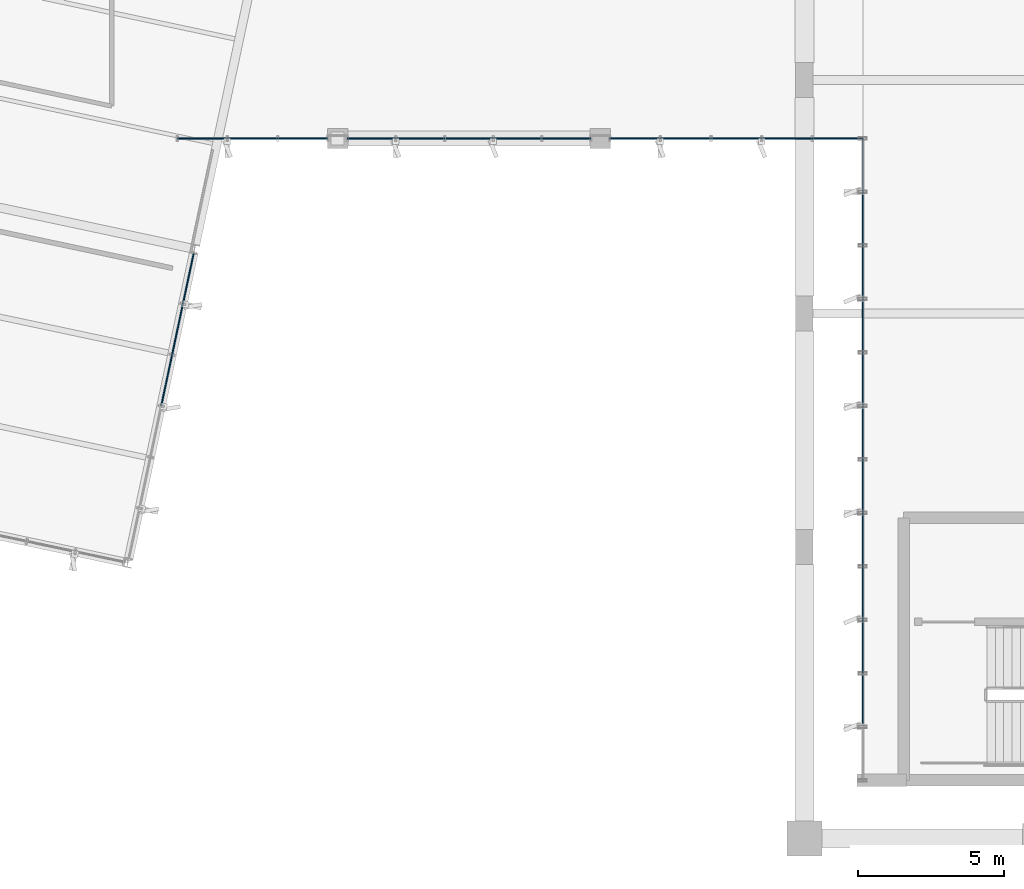
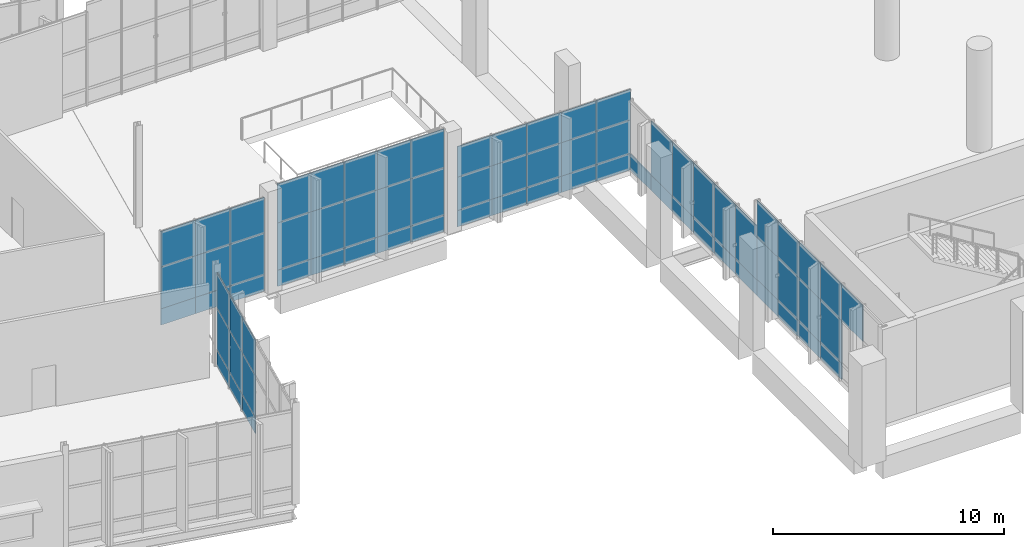
# One storey, part 120 of 176: 72 plates, 6 elements without a shape of their own.
"""IFC4 building model written with IfcOpenShell, lengths in metres."""

from ifc_helpers import new_model, si_unit, direction, frame, origin, origin_2d, place, context, subcontext, project, spatial, rectangle, extrude, material, layer, layer_set, type_object, element, aggregate, save


model = new_model("IFC4")

# Units and contexts
model_context = context("Model", 3, precision=1e-05, world=origin(), true_north=direction((0.0, 1.0)))
body_context = subcontext(model_context, "Body", "Model", "MODEL_VIEW")
ifc_project = project(units=[si_unit("LENGTHUNIT", "METRE"), si_unit("AREAUNIT", "SQUARE_METRE"), si_unit("VOLUMEUNIT", "CUBIC_METRE"), si_unit("PLANEANGLEUNIT", "RADIAN"), si_unit("MASSUNIT", "GRAM", prefix="KILO")], contexts=[model_context])

# Site, building, storey
site_placement = place(None, origin())
site = spatial("IfcSite", under=ifc_project, at=site_placement, CompositionType="ELEMENT")
building_placement = place(site_placement, origin())
building = spatial("IfcBuilding", under=site, at=building_placement, Name="Khorjan Park Terminus", CompositionType="ELEMENT")
storey_placement = place(building_placement, frame((0.0, 0.0, 6.0)))
storey = spatial("IfcBuildingStorey", under=building, at=storey_placement, Name="L01", CompositionType="ELEMENT", Elevation=6.0)

# Curtain wall, plates
ifc_material_1 = material(Name="Anodized Bronze Aluminium", Category="aluminium")
ifc_layer_1 = layer(ifc_material_1, 0.22)
ifc_layer_set_1 = layer_set([ifc_layer_1], Name="Anodized Bronze Aluminium")
curtain_wall_type_1 = type_object("IfcCurtainWallType", Name="CW-PAV-C", PredefinedType="NOTDEFINED", material=ifc_layer_set_1)
curtain_wall_1_placement = place(storey_placement, origin())
curtain_wall_1 = element("IfcCurtainWall", 1, at=curtain_wall_1_placement, inside=storey, type_object=curtain_wall_type_1, Name="Unitized curtain wall CW-C (CW-V4L-S-L01-1)", PredefinedType="NOTDEFINED")
ifc_material_2 = material(Name="Acoustic Laminated Solar Glazing", Category="glass")
ifc_layer_2 = layer(ifc_material_2, 0.036)
ifc_layer_set_2 = layer_set([ifc_layer_2], Name="Acoustic Laminated Solar Glazing")
plate_type_1 = type_object("IfcPlateType", Name="GL-VIS-36", PredefinedType="CURTAIN_PANEL", material=ifc_layer_set_2)
plate_1_placement = place(storey_placement, frame((27.3616, 50.0, 0.85), z_axis=(0.0, 0.0, 1.0), x_axis=(1.0, 0.0, 0.0)))
plate_1 = element("IfcPlate", 2, at=plate_1_placement, type_object=plate_type_1, Name="Curtain-wall panel VP-36 (CW-V4L-S-L01-1-0-2)", PredefinedType="CURTAIN_PANEL", context=body_context, shape_type="SweptSolid", body=[
    extrude(rectangle(XDim=1.7233, YDim=0.036, at=origin_2d()), origin(), (0.0, 0.0, 1.0), 2.2066),
])
plate_2_placement = place(storey_placement, frame((27.3616, 50.0, 3.0566), z_axis=(0.0, 0.0, 1.0), x_axis=(1.0, 0.0, 0.0)))
plate_2 = element("IfcPlate", 3, at=plate_2_placement, type_object=plate_type_1, Name="Curtain-wall panel VP-36 (CW-V4L-S-L01-1-0-3)", PredefinedType="CURTAIN_PANEL", context=body_context, shape_type="SweptSolid", body=[
    extrude(rectangle(XDim=1.7233, YDim=0.036, at=origin_2d()), origin(), (0.0, 0.0, 1.0), 1.8834),
])
plate_3_placement = place(storey_placement, frame((29.085, 50.0, 0.85), z_axis=(0.0, 0.0, 1.0), x_axis=(1.0, 0.0, 0.0)))
plate_3 = element("IfcPlate", 4, at=plate_3_placement, type_object=plate_type_1, Name="Curtain-wall panel VP-36 (CW-V4L-S-L01-1-1-2)", PredefinedType="CURTAIN_PANEL", context=body_context, shape_type="SweptSolid", body=[
    extrude(rectangle(XDim=1.7233, YDim=0.036, at=origin_2d()), origin(), (0.0, 0.0, 1.0), 2.2066),
])
plate_4_placement = place(storey_placement, frame((29.085, 50.0, 3.0566), z_axis=(0.0, 0.0, 1.0), x_axis=(1.0, 0.0, 0.0)))
plate_4 = element("IfcPlate", 5, at=plate_4_placement, type_object=plate_type_1, Name="Curtain-wall panel VP-36 (CW-V4L-S-L01-1-1-3)", PredefinedType="CURTAIN_PANEL", context=body_context, shape_type="SweptSolid", body=[
    extrude(rectangle(XDim=1.7233, YDim=0.036, at=origin_2d()), origin(), (0.0, 0.0, 1.0), 1.8834),
])
plate_5_placement = place(storey_placement, frame((30.8084, 50.0, 0.85), z_axis=(0.0, 0.0, 1.0), x_axis=(1.0, 0.0, 0.0)))
plate_5 = element("IfcPlate", 6, at=plate_5_placement, type_object=plate_type_1, Name="Curtain-wall panel VP-36 (CW-V4L-S-L01-1-2-2)", PredefinedType="CURTAIN_PANEL", context=body_context, shape_type="SweptSolid", body=[
    extrude(rectangle(XDim=1.7233, YDim=0.036, at=origin_2d()), origin(), (0.0, 0.0, 1.0), 2.2066),
])
plate_6_placement = place(storey_placement, frame((30.8084, 50.0, 3.0566), z_axis=(0.0, 0.0, 1.0), x_axis=(1.0, 0.0, 0.0)))
plate_6 = element("IfcPlate", 7, at=plate_6_placement, type_object=plate_type_1, Name="Curtain-wall panel VP-36 (CW-V4L-S-L01-1-2-3)", PredefinedType="CURTAIN_PANEL", context=body_context, shape_type="SweptSolid", body=[
    extrude(rectangle(XDim=1.7233, YDim=0.036, at=origin_2d()), origin(), (0.0, 0.0, 1.0), 1.8834),
])

curtain_wall_2_placement = place(storey_placement, origin())
curtain_wall_2 = element("IfcCurtainWall", 8, at=curtain_wall_2_placement, inside=storey, type_object=curtain_wall_type_1, Name="Unitized curtain wall CW-C (CW-V4L-S-L01-2)", PredefinedType="NOTDEFINED")
plate_7_placement = place(storey_placement, frame((33.164, 50.0, 0.85), z_axis=(0.0, 0.0, 1.0), x_axis=(1.0, 0.0, 0.0)))
plate_7 = element("IfcPlate", 9, at=plate_7_placement, type_object=plate_type_1, Name="Curtain-wall panel VP-36 (CW-V4L-S-L01-2-0-2)", PredefinedType="CURTAIN_PANEL", context=body_context, shape_type="SweptSolid", body=[
    extrude(rectangle(XDim=1.668, YDim=0.036, at=origin_2d()), origin(), (0.0, 0.0, 1.0), 2.498),
])
plate_8_placement = place(storey_placement, frame((33.164, 50.0, 3.348), z_axis=(0.0, 0.0, 1.0), x_axis=(1.0, 0.0, 0.0)))
plate_8 = element("IfcPlate", 10, at=plate_8_placement, type_object=plate_type_1, Name="Curtain-wall panel VP-36 (CW-V4L-S-L01-2-0-3)", PredefinedType="CURTAIN_PANEL", context=body_context, shape_type="SweptSolid", body=[
    extrude(rectangle(XDim=1.668, YDim=0.036, at=origin_2d()), origin(), (0.0, 0.0, 1.0), 2.062),
])
plate_9_placement = place(storey_placement, frame((34.832, 50.0, 0.85), z_axis=(0.0, 0.0, 1.0), x_axis=(1.0, 0.0, 0.0)))
plate_9 = element("IfcPlate", 11, at=plate_9_placement, type_object=plate_type_1, Name="Curtain-wall panel VP-36 (CW-V4L-S-L01-2-1-2)", PredefinedType="CURTAIN_PANEL", context=body_context, shape_type="SweptSolid", body=[
    extrude(rectangle(XDim=1.668, YDim=0.036, at=origin_2d()), origin(), (0.0, 0.0, 1.0), 2.498),
])
plate_10_placement = place(storey_placement, frame((34.832, 50.0, 3.348), z_axis=(0.0, 0.0, 1.0), x_axis=(1.0, 0.0, 0.0)))
plate_10 = element("IfcPlate", 12, at=plate_10_placement, type_object=plate_type_1, Name="Curtain-wall panel VP-36 (CW-V4L-S-L01-2-1-3)", PredefinedType="CURTAIN_PANEL", context=body_context, shape_type="SweptSolid", body=[
    extrude(rectangle(XDim=1.668, YDim=0.036, at=origin_2d()), origin(), (0.0, 0.0, 1.0), 2.062),
])
plate_11_placement = place(storey_placement, frame((36.5, 50.0, 0.85), z_axis=(0.0, 0.0, 1.0), x_axis=(1.0, 0.0, 0.0)))
plate_11 = element("IfcPlate", 13, at=plate_11_placement, type_object=plate_type_1, Name="Curtain-wall panel VP-36 (CW-V4L-S-L01-2-2-2)", PredefinedType="CURTAIN_PANEL", context=body_context, shape_type="SweptSolid", body=[
    extrude(rectangle(XDim=1.668, YDim=0.036, at=origin_2d()), origin(), (0.0, 0.0, 1.0), 2.498),
])
plate_12_placement = place(storey_placement, frame((36.5, 50.0, 3.348), z_axis=(0.0, 0.0, 1.0), x_axis=(1.0, 0.0, 0.0)))
plate_12 = element("IfcPlate", 14, at=plate_12_placement, type_object=plate_type_1, Name="Curtain-wall panel VP-36 (CW-V4L-S-L01-2-2-3)", PredefinedType="CURTAIN_PANEL", context=body_context, shape_type="SweptSolid", body=[
    extrude(rectangle(XDim=1.668, YDim=0.036, at=origin_2d()), origin(), (0.0, 0.0, 1.0), 2.062),
])
plate_13_placement = place(storey_placement, frame((38.168, 50.0, 0.85), z_axis=(0.0, 0.0, 1.0), x_axis=(1.0, 0.0, 0.0)))
plate_13 = element("IfcPlate", 15, at=plate_13_placement, type_object=plate_type_1, Name="Curtain-wall panel VP-36 (CW-V4L-S-L01-2-3-2)", PredefinedType="CURTAIN_PANEL", context=body_context, shape_type="SweptSolid", body=[
    extrude(rectangle(XDim=1.668, YDim=0.036, at=origin_2d()), origin(), (0.0, 0.0, 1.0), 2.498),
])
plate_14_placement = place(storey_placement, frame((38.168, 50.0, 3.348), z_axis=(0.0, 0.0, 1.0), x_axis=(1.0, 0.0, 0.0)))
plate_14 = element("IfcPlate", 16, at=plate_14_placement, type_object=plate_type_1, Name="Curtain-wall panel VP-36 (CW-V4L-S-L01-2-3-3)", PredefinedType="CURTAIN_PANEL", context=body_context, shape_type="SweptSolid", body=[
    extrude(rectangle(XDim=1.668, YDim=0.036, at=origin_2d()), origin(), (0.0, 0.0, 1.0), 2.062),
])
plate_15_placement = place(storey_placement, frame((39.836, 50.0, 0.85), z_axis=(0.0, 0.0, 1.0), x_axis=(1.0, 0.0, 0.0)))
plate_15 = element("IfcPlate", 17, at=plate_15_placement, type_object=plate_type_1, Name="Curtain-wall panel VP-36 (CW-V4L-S-L01-2-4-2)", PredefinedType="CURTAIN_PANEL", context=body_context, shape_type="SweptSolid", body=[
    extrude(rectangle(XDim=1.668, YDim=0.036, at=origin_2d()), origin(), (0.0, 0.0, 1.0), 2.498),
])
plate_16_placement = place(storey_placement, frame((39.836, 50.0, 3.348), z_axis=(0.0, 0.0, 1.0), x_axis=(1.0, 0.0, 0.0)))
plate_16 = element("IfcPlate", 18, at=plate_16_placement, type_object=plate_type_1, Name="Curtain-wall panel VP-36 (CW-V4L-S-L01-2-4-3)", PredefinedType="CURTAIN_PANEL", context=body_context, shape_type="SweptSolid", body=[
    extrude(rectangle(XDim=1.668, YDim=0.036, at=origin_2d()), origin(), (0.0, 0.0, 1.0), 2.062),
])

curtain_wall_3_placement = place(storey_placement, origin())
curtain_wall_3 = element("IfcCurtainWall", 19, at=curtain_wall_3_placement, inside=storey, type_object=curtain_wall_type_1, Name="Unitized curtain wall CW-C (CW-V4L-S-L01-3)", PredefinedType="NOTDEFINED")
plate_17_placement = place(storey_placement, frame((42.197, 50.0, 0.85), z_axis=(0.0, 0.0, 1.0), x_axis=(1.0, 0.0, 0.0)))
plate_17 = element("IfcPlate", 20, at=plate_17_placement, type_object=plate_type_1, Name="Curtain-wall panel VP-36 (CW-V4L-S-L01-3-0-2)", PredefinedType="CURTAIN_PANEL", context=body_context, shape_type="SweptSolid", body=[
    extrude(rectangle(XDim=1.734, YDim=0.036, at=origin_2d()), origin(), (0.0, 0.0, 1.0), 1.7695),
])
plate_18_placement = place(storey_placement, frame((42.197, 50.0, 2.6196), z_axis=(0.0, 0.0, 1.0), x_axis=(1.0, 0.0, 0.0)))
plate_18 = element("IfcPlate", 21, at=plate_18_placement, type_object=plate_type_1, Name="Curtain-wall panel VP-36 (CW-V4L-S-L01-3-0-3)", PredefinedType="CURTAIN_PANEL", context=body_context, shape_type="SweptSolid", body=[
    extrude(rectangle(XDim=1.734, YDim=0.036, at=origin_2d()), origin(), (0.0, 0.0, 1.0), 1.6155),
])
plate_19_placement = place(storey_placement, frame((43.931, 50.0, 0.85), z_axis=(0.0, 0.0, 1.0), x_axis=(1.0, 0.0, 0.0)))
plate_19 = element("IfcPlate", 22, at=plate_19_placement, type_object=plate_type_1, Name="Curtain-wall panel VP-36 (CW-V4L-S-L01-3-1-2)", PredefinedType="CURTAIN_PANEL", context=body_context, shape_type="SweptSolid", body=[
    extrude(rectangle(XDim=1.734, YDim=0.036, at=origin_2d()), origin(), (0.0, 0.0, 1.0), 1.7695),
])
plate_20_placement = place(storey_placement, frame((43.931, 50.0, 2.6196), z_axis=(0.0, 0.0, 1.0), x_axis=(1.0, 0.0, 0.0)))
plate_20 = element("IfcPlate", 23, at=plate_20_placement, type_object=plate_type_1, Name="Curtain-wall panel VP-36 (CW-V4L-S-L01-3-1-3)", PredefinedType="CURTAIN_PANEL", context=body_context, shape_type="SweptSolid", body=[
    extrude(rectangle(XDim=1.734, YDim=0.036, at=origin_2d()), origin(), (0.0, 0.0, 1.0), 1.6155),
])
plate_21_placement = place(storey_placement, frame((45.665, 50.0, 0.85), z_axis=(0.0, 0.0, 1.0), x_axis=(1.0, 0.0, 0.0)))
plate_21 = element("IfcPlate", 24, at=plate_21_placement, type_object=plate_type_1, Name="Curtain-wall panel VP-36 (CW-V4L-S-L01-3-2-2)", PredefinedType="CURTAIN_PANEL", context=body_context, shape_type="SweptSolid", body=[
    extrude(rectangle(XDim=1.734, YDim=0.036, at=origin_2d()), origin(), (0.0, 0.0, 1.0), 1.7695),
])
plate_22_placement = place(storey_placement, frame((45.665, 50.0, 2.6196), z_axis=(0.0, 0.0, 1.0), x_axis=(1.0, 0.0, 0.0)))
plate_22 = element("IfcPlate", 25, at=plate_22_placement, type_object=plate_type_1, Name="Curtain-wall panel VP-36 (CW-V4L-S-L01-3-2-3)", PredefinedType="CURTAIN_PANEL", context=body_context, shape_type="SweptSolid", body=[
    extrude(rectangle(XDim=1.734, YDim=0.036, at=origin_2d()), origin(), (0.0, 0.0, 1.0), 1.6155),
])
plate_23_placement = place(storey_placement, frame((47.399, 50.0, 0.85), z_axis=(0.0, 0.0, 1.0), x_axis=(1.0, 0.0, 0.0)))
plate_23 = element("IfcPlate", 26, at=plate_23_placement, type_object=plate_type_1, Name="Curtain-wall panel VP-36 (CW-V4L-S-L01-3-3-2)", PredefinedType="CURTAIN_PANEL", context=body_context, shape_type="SweptSolid", body=[
    extrude(rectangle(XDim=1.734, YDim=0.036, at=origin_2d()), origin(), (0.0, 0.0, 1.0), 1.7695),
])
plate_24_placement = place(storey_placement, frame((47.399, 50.0, 2.6196), z_axis=(0.0, 0.0, 1.0), x_axis=(1.0, 0.0, 0.0)))
plate_24 = element("IfcPlate", 27, at=plate_24_placement, type_object=plate_type_1, Name="Curtain-wall panel VP-36 (CW-V4L-S-L01-3-3-3)", PredefinedType="CURTAIN_PANEL", context=body_context, shape_type="SweptSolid", body=[
    extrude(rectangle(XDim=1.734, YDim=0.036, at=origin_2d()), origin(), (0.0, 0.0, 1.0), 1.6155),
])
plate_25_placement = place(storey_placement, frame((49.133, 50.0, 0.85), z_axis=(0.0, 0.0, 1.0), x_axis=(1.0, 0.0, 0.0)))
plate_25 = element("IfcPlate", 28, at=plate_25_placement, type_object=plate_type_1, Name="Curtain-wall panel VP-36 (CW-V4L-S-L01-3-4-2)", PredefinedType="CURTAIN_PANEL", context=body_context, shape_type="SweptSolid", body=[
    extrude(rectangle(XDim=1.734, YDim=0.036, at=origin_2d()), origin(), (0.0, 0.0, 1.0), 1.7695),
])
plate_26_placement = place(storey_placement, frame((49.133, 50.0, 2.6196), z_axis=(0.0, 0.0, 1.0), x_axis=(1.0, 0.0, 0.0)))
plate_26 = element("IfcPlate", 29, at=plate_26_placement, type_object=plate_type_1, Name="Curtain-wall panel VP-36 (CW-V4L-S-L01-3-4-3)", PredefinedType="CURTAIN_PANEL", context=body_context, shape_type="SweptSolid", body=[
    extrude(rectangle(XDim=1.734, YDim=0.036, at=origin_2d()), origin(), (0.0, 0.0, 1.0), 1.6155),
])

curtain_wall_4_placement = place(storey_placement, origin())
curtain_wall_4 = element("IfcCurtainWall", 30, at=curtain_wall_4_placement, inside=storey, type_object=curtain_wall_type_1, Name="Unitized curtain wall CW-C (CW-V4-E-L01-B01)", PredefinedType="NOTDEFINED")
plate_27_placement = place(storey_placement, frame((26.1412, 41.706, 0.85), z_axis=(0.0, 0.0, 1.0), x_axis=(0.207916776669, 0.978146519689, 0.0)))
plate_27 = element("IfcPlate", 31, at=plate_27_placement, type_object=plate_type_1, Name="Curtain-wall panel VP-36 (CW-V4-E-L01-B01-3-2)", PredefinedType="CURTAIN_PANEL", context=body_context, shape_type="SweptSolid", body=[
    extrude(rectangle(XDim=1.7899, YDim=0.036, at=origin_2d()), origin(), (0.0, 0.0, 1.0), 2.2066),
])
plate_28_placement = place(storey_placement, frame((26.1412, 41.706, 3.0566), z_axis=(0.0, 0.0, 1.0), x_axis=(0.207916776669, 0.978146519689, 0.0)))
plate_28 = element("IfcPlate", 32, at=plate_28_placement, type_object=plate_type_1, Name="Curtain-wall panel VP-36 (CW-V4-E-L01-B01-3-3)", PredefinedType="CURTAIN_PANEL", context=body_context, shape_type="SweptSolid", body=[
    extrude(rectangle(XDim=1.7899, YDim=0.036, at=origin_2d()), origin(), (0.0, 0.0, 1.0), 1.8834),
])
plate_29_placement = place(storey_placement, frame((26.5134, 43.4567, 0.85), z_axis=(0.0, 0.0, 1.0), x_axis=(0.207916776669, 0.978146519689, 0.0)))
plate_29 = element("IfcPlate", 33, at=plate_29_placement, type_object=plate_type_1, Name="Curtain-wall panel VP-36 (CW-V4-E-L01-B01-4-2)", PredefinedType="CURTAIN_PANEL", context=body_context, shape_type="SweptSolid", body=[
    extrude(rectangle(XDim=1.7899, YDim=0.036, at=origin_2d()), origin(), (0.0, 0.0, 1.0), 2.2066),
])
plate_30_placement = place(storey_placement, frame((26.5134, 43.4567, 3.0566), z_axis=(0.0, 0.0, 1.0), x_axis=(0.207916776669, 0.978146519689, 0.0)))
plate_30 = element("IfcPlate", 34, at=plate_30_placement, type_object=plate_type_1, Name="Curtain-wall panel VP-36 (CW-V4-E-L01-B01-4-3)", PredefinedType="CURTAIN_PANEL", context=body_context, shape_type="SweptSolid", body=[
    extrude(rectangle(XDim=1.7899, YDim=0.036, at=origin_2d()), origin(), (0.0, 0.0, 1.0), 1.8834),
])
plate_31_placement = place(storey_placement, frame((26.8855, 45.2075, 0.85), z_axis=(0.0, 0.0, 1.0), x_axis=(0.207916776669, 0.978146519689, 0.0)))
plate_31 = element("IfcPlate", 35, at=plate_31_placement, type_object=plate_type_1, Name="Curtain-wall panel VP-36 (CW-V4-E-L01-B01-5-2)", PredefinedType="CURTAIN_PANEL", context=body_context, shape_type="SweptSolid", body=[
    extrude(rectangle(XDim=1.7899, YDim=0.036, at=origin_2d()), origin(), (0.0, 0.0, 1.0), 2.2066),
])
plate_32_placement = place(storey_placement, frame((26.8855, 45.2075, 3.0566), z_axis=(0.0, 0.0, 1.0), x_axis=(0.207916776669, 0.978146519689, 0.0)))
plate_32 = element("IfcPlate", 36, at=plate_32_placement, type_object=plate_type_1, Name="Curtain-wall panel VP-36 (CW-V4-E-L01-B01-5-3)", PredefinedType="CURTAIN_PANEL", context=body_context, shape_type="SweptSolid", body=[
    extrude(rectangle(XDim=1.7899, YDim=0.036, at=origin_2d()), origin(), (0.0, 0.0, 1.0), 1.8834),
])

ifc_layer_3 = layer(ifc_material_1, 0.22)
ifc_layer_set_3 = layer_set([ifc_layer_3], Name="Anodized Bronze Aluminium")
curtain_wall_type_2 = type_object("IfcCurtainWallType", Name="CW-CONC-A", PredefinedType="NOTDEFINED", material=ifc_layer_set_3)
curtain_wall_5_placement = place(storey_placement, origin())
curtain_wall_5 = element("IfcCurtainWall", 37, at=curtain_wall_5_placement, inside=storey, type_object=curtain_wall_type_2, Name="Unitized curtain wall CW-A (CW-V2-W-L01-01)", PredefinedType="NOTDEFINED")
ifc_material_3 = material(Name="Triple Low-E High-Selectivity Glazing", Category="glass")
ifc_layer_4 = layer(ifc_material_3, 0.04)
ifc_layer_set_4 = layer_set([ifc_layer_4], Name="Triple Low-E High-Selectivity Glazing")
plate_type_2 = type_object("IfcPlateType", Name="GL-VIS-40", PredefinedType="CURTAIN_PANEL", material=ifc_layer_set_4)
plate_33_placement = place(storey_placement, frame((50.0, 38.0833, 0.8501), z_axis=(0.0, 0.0, 1.0), x_axis=(0.0, -1.0, 0.0)))
plate_33 = element("IfcPlate", 38, at=plate_33_placement, type_object=plate_type_2, Name="Curtain-wall panel VP-40 (CW-V2-W-L01-01-0-2)", PredefinedType="CURTAIN_PANEL", context=body_context, shape_type="SweptSolid", body=[
    extrude(rectangle(XDim=1.8333, YDim=0.04, at=origin_2d()), origin(), (0.0, 0.0, 1.0), 2.2655),
])
plate_34_placement = place(storey_placement, frame((50.0, 38.0833, 3.1156), z_axis=(0.0, 0.0, 1.0), x_axis=(0.0, -1.0, 0.0)))
plate_34 = element("IfcPlate", 39, at=plate_34_placement, type_object=plate_type_2, Name="Curtain-wall panel VP-40 (CW-V2-W-L01-01-0-3)", PredefinedType="CURTAIN_PANEL", context=body_context, shape_type="SweptSolid", body=[
    extrude(rectangle(XDim=1.8333, YDim=0.04, at=origin_2d()), origin(), (0.0, 0.0, 1.0), 1.9195),
])
plate_35_placement = place(storey_placement, frame((50.0, 36.25, 0.8501), z_axis=(0.0, 0.0, 1.0), x_axis=(0.0, -1.0, 0.0)))
plate_35 = element("IfcPlate", 40, at=plate_35_placement, type_object=plate_type_2, Name="Curtain-wall panel VP-40 (CW-V2-W-L01-01-1-2)", PredefinedType="CURTAIN_PANEL", context=body_context, shape_type="SweptSolid", body=[
    extrude(rectangle(XDim=1.8333, YDim=0.04, at=origin_2d()), origin(), (0.0, 0.0, 1.0), 2.2655),
])
plate_36_placement = place(storey_placement, frame((50.0, 36.25, 3.1156), z_axis=(0.0, 0.0, 1.0), x_axis=(0.0, -1.0, 0.0)))
plate_36 = element("IfcPlate", 41, at=plate_36_placement, type_object=plate_type_2, Name="Curtain-wall panel VP-40 (CW-V2-W-L01-01-1-3)", PredefinedType="CURTAIN_PANEL", context=body_context, shape_type="SweptSolid", body=[
    extrude(rectangle(XDim=1.8333, YDim=0.04, at=origin_2d()), origin(), (0.0, 0.0, 1.0), 1.9195),
])
plate_37_placement = place(storey_placement, frame((50.0, 34.4167, 0.8501), z_axis=(0.0, 0.0, 1.0), x_axis=(0.0, -1.0, 0.0)))
plate_37 = element("IfcPlate", 42, at=plate_37_placement, type_object=plate_type_2, Name="Curtain-wall panel VP-40 (CW-V2-W-L01-01-2-2)", PredefinedType="CURTAIN_PANEL", context=body_context, shape_type="SweptSolid", body=[
    extrude(rectangle(XDim=1.8333, YDim=0.04, at=origin_2d()), origin(), (0.0, 0.0, 1.0), 2.2655),
])
plate_38_placement = place(storey_placement, frame((50.0, 34.4167, 3.1156), z_axis=(0.0, 0.0, 1.0), x_axis=(0.0, -1.0, 0.0)))
plate_38 = element("IfcPlate", 43, at=plate_38_placement, type_object=plate_type_2, Name="Curtain-wall panel VP-40 (CW-V2-W-L01-01-2-3)", PredefinedType="CURTAIN_PANEL", context=body_context, shape_type="SweptSolid", body=[
    extrude(rectangle(XDim=1.8333, YDim=0.04, at=origin_2d()), origin(), (0.0, 0.0, 1.0), 1.9195),
])
plate_39_placement = place(storey_placement, frame((50.0, 32.5833, 0.8501), z_axis=(0.0, 0.0, 1.0), x_axis=(0.0, -1.0, 0.0)))
plate_39 = element("IfcPlate", 44, at=plate_39_placement, type_object=plate_type_2, Name="Curtain-wall panel VP-40 (CW-V2-W-L01-01-3-2)", PredefinedType="CURTAIN_PANEL", context=body_context, shape_type="SweptSolid", body=[
    extrude(rectangle(XDim=1.8333, YDim=0.04, at=origin_2d()), origin(), (0.0, 0.0, 1.0), 2.2655),
])
plate_40_placement = place(storey_placement, frame((50.0, 32.5833, 3.1156), z_axis=(0.0, 0.0, 1.0), x_axis=(0.0, -1.0, 0.0)))
plate_40 = element("IfcPlate", 45, at=plate_40_placement, type_object=plate_type_2, Name="Curtain-wall panel VP-40 (CW-V2-W-L01-01-3-3)", PredefinedType="CURTAIN_PANEL", context=body_context, shape_type="SweptSolid", body=[
    extrude(rectangle(XDim=1.8333, YDim=0.04, at=origin_2d()), origin(), (0.0, 0.0, 1.0), 1.9195),
])
plate_41_placement = place(storey_placement, frame((50.0, 30.75, 3.1156), z_axis=(0.0, 0.0, 1.0), x_axis=(0.0, -1.0, 0.0)))
plate_41 = element("IfcPlate", 46, at=plate_41_placement, type_object=plate_type_2, Name="Curtain-wall panel VP-40 (CW-V2-W-L01-01-4-3)", PredefinedType="CURTAIN_PANEL", context=body_context, shape_type="SweptSolid", body=[
    extrude(rectangle(XDim=1.8333, YDim=0.04, at=origin_2d()), origin(), (0.0, 0.0, 1.0), 1.9195),
])

curtain_wall_6_placement = place(storey_placement, origin())
curtain_wall_6 = element("IfcCurtainWall", 47, at=curtain_wall_6_placement, inside=storey, type_object=curtain_wall_type_2, Name="Unitized curtain wall CW-A (CW-V2-W-L01-02)", PredefinedType="NOTDEFINED")
plate_42_placement = place(storey_placement, frame((50.0, 47.25, 0.806), z_axis=(0.0, 0.0, 1.0), x_axis=(0.0, -1.0, 0.0)))
plate_42 = element("IfcPlate", 48, at=plate_42_placement, type_object=plate_type_2, Name="Curtain-wall panel VP-40 (CW-V2-W-L01-02-1-2)", PredefinedType="CURTAIN_PANEL", context=body_context, shape_type="SweptSolid", body=[
    extrude(rectangle(XDim=1.8333, YDim=0.04, at=origin_2d()), origin(), (0.0, 0.0, 1.0), 2.869),
])
plate_43_placement = place(storey_placement, frame((50.0, 45.4167, 0.806), z_axis=(0.0, 0.0, 1.0), x_axis=(0.0, -1.0, 0.0)))
plate_43 = element("IfcPlate", 49, at=plate_43_placement, type_object=plate_type_2, Name="Curtain-wall panel VP-40 (CW-V2-W-L01-02-2-2)", PredefinedType="CURTAIN_PANEL", context=body_context, shape_type="SweptSolid", body=[
    extrude(rectangle(XDim=1.8333, YDim=0.04, at=origin_2d()), origin(), (0.0, 0.0, 1.0), 2.869),
])
plate_44_placement = place(storey_placement, frame((50.0, 43.5833, 0.806), z_axis=(0.0, 0.0, 1.0), x_axis=(0.0, -1.0, 0.0)))
plate_44 = element("IfcPlate", 50, at=plate_44_placement, type_object=plate_type_2, Name="Curtain-wall panel VP-40 (CW-V2-W-L01-02-3-2)", PredefinedType="CURTAIN_PANEL", context=body_context, shape_type="SweptSolid", body=[
    extrude(rectangle(XDim=1.8333, YDim=0.04, at=origin_2d()), origin(), (0.0, 0.0, 1.0), 2.869),
])
plate_45_placement = place(storey_placement, frame((50.0, 41.75, 0.806), z_axis=(0.0, 0.0, 1.0), x_axis=(0.0, -1.0, 0.0)))
plate_45 = element("IfcPlate", 51, at=plate_45_placement, type_object=plate_type_2, Name="Curtain-wall panel VP-40 (CW-V2-W-L01-02-4-2)", PredefinedType="CURTAIN_PANEL", context=body_context, shape_type="SweptSolid", body=[
    extrude(rectangle(XDim=1.8333, YDim=0.04, at=origin_2d()), origin(), (0.0, 0.0, 1.0), 2.869),
])
plate_46_placement = place(storey_placement, frame((50.0, 39.9167, 0.806), z_axis=(0.0, 0.0, 1.0), x_axis=(0.0, -1.0, 0.0)))
plate_46 = element("IfcPlate", 52, at=plate_46_placement, type_object=plate_type_2, Name="Curtain-wall panel VP-40 (CW-V2-W-L01-02-5-2)", PredefinedType="CURTAIN_PANEL", context=body_context, shape_type="SweptSolid", body=[
    extrude(rectangle(XDim=1.8333, YDim=0.04, at=origin_2d()), origin(), (0.0, 0.0, 1.0), 2.869),
])

# Plate
ifc_material_4 = material(Name="Insulated Anodized Bronze Spandrel Panel")
ifc_layer_5 = layer(ifc_material_4, 0.045)
ifc_layer_set_5 = layer_set([ifc_layer_5], Name="Insulated Anodized Bronze Spandrel Panel")
plate_type_3 = type_object("IfcPlateType", Name="SP-AL-45", PredefinedType="CURTAIN_PANEL", material=ifc_layer_set_5)
plate_47_placement = place(storey_placement, frame((50.0, 38.0833, -0.01), z_axis=(0.0, 0.0, 1.0), x_axis=(0.0, -1.0, 0.0)))
plate_47 = element("IfcPlate", 53, at=plate_47_placement, type_object=plate_type_3, Name="Curtain-wall panel SP-A45 (CW-V2-W-L01-01-0-1)", PredefinedType="CURTAIN_PANEL", context=body_context, shape_type="SweptSolid", body=[
    extrude(rectangle(XDim=1.8333, YDim=0.045, at=origin_2d()), origin(), (0.0, 0.0, 1.0), 0.86),
])

plate_48_placement = place(storey_placement, frame((50.0, 36.25, -0.01), z_axis=(0.0, 0.0, 1.0), x_axis=(0.0, -1.0, 0.0)))
plate_48 = element("IfcPlate", 54, at=plate_48_placement, type_object=plate_type_3, Name="Curtain-wall panel SP-A45 (CW-V2-W-L01-01-1-1)", PredefinedType="CURTAIN_PANEL", context=body_context, shape_type="SweptSolid", body=[
    extrude(rectangle(XDim=1.8333, YDim=0.045, at=origin_2d()), origin(), (0.0, 0.0, 1.0), 0.86),
])

plate_49_placement = place(storey_placement, frame((50.0, 34.4167, -0.01), z_axis=(0.0, 0.0, 1.0), x_axis=(0.0, -1.0, 0.0)))
plate_49 = element("IfcPlate", 55, at=plate_49_placement, type_object=plate_type_3, Name="Curtain-wall panel SP-A45 (CW-V2-W-L01-01-2-1)", PredefinedType="CURTAIN_PANEL", context=body_context, shape_type="SweptSolid", body=[
    extrude(rectangle(XDim=1.8333, YDim=0.045, at=origin_2d()), origin(), (0.0, 0.0, 1.0), 0.86),
])

plate_50_placement = place(storey_placement, frame((50.0, 32.5833, -0.01), z_axis=(0.0, 0.0, 1.0), x_axis=(0.0, -1.0, 0.0)))
plate_50 = element("IfcPlate", 56, at=plate_50_placement, type_object=plate_type_3, Name="Curtain-wall panel SP-A45 (CW-V2-W-L01-01-3-1)", PredefinedType="CURTAIN_PANEL", context=body_context, shape_type="SweptSolid", body=[
    extrude(rectangle(XDim=1.8333, YDim=0.045, at=origin_2d()), origin(), (0.0, 0.0, 1.0), 0.86),
])

aggregate(curtain_wall_5, [plate_47, plate_33, plate_34, plate_48, plate_35, plate_36, plate_49, plate_37, plate_38, plate_50, plate_39, plate_40, plate_41])

plate_51_placement = place(storey_placement, frame((50.0, 49.0833, -0.01), z_axis=(0.0, 0.0, 1.0), x_axis=(0.0, -1.0, 0.0)))
plate_51 = element("IfcPlate", 57, at=plate_51_placement, type_object=plate_type_3, Name="Curtain-wall panel SP-A45 (CW-V2-W-L01-02-0-1)", PredefinedType="CURTAIN_PANEL", context=body_context, shape_type="SweptSolid", body=[
    extrude(rectangle(XDim=1.8333, YDim=0.045, at=origin_2d()), origin(), (0.0, 0.0, 1.0), 0.816),
])

plate_52_placement = place(storey_placement, frame((50.0, 47.25, -0.01), z_axis=(0.0, 0.0, 1.0), x_axis=(0.0, -1.0, 0.0)))
plate_52 = element("IfcPlate", 58, at=plate_52_placement, type_object=plate_type_3, Name="Curtain-wall panel SP-A45 (CW-V2-W-L01-02-1-1)", PredefinedType="CURTAIN_PANEL", context=body_context, shape_type="SweptSolid", body=[
    extrude(rectangle(XDim=1.8333, YDim=0.045, at=origin_2d()), origin(), (0.0, 0.0, 1.0), 0.816),
])

plate_53_placement = place(storey_placement, frame((50.0, 45.4167, -0.01), z_axis=(0.0, 0.0, 1.0), x_axis=(0.0, -1.0, 0.0)))
plate_53 = element("IfcPlate", 59, at=plate_53_placement, type_object=plate_type_3, Name="Curtain-wall panel SP-A45 (CW-V2-W-L01-02-2-1)", PredefinedType="CURTAIN_PANEL", context=body_context, shape_type="SweptSolid", body=[
    extrude(rectangle(XDim=1.8333, YDim=0.045, at=origin_2d()), origin(), (0.0, 0.0, 1.0), 0.816),
])

plate_54_placement = place(storey_placement, frame((50.0, 43.5833, -0.01), z_axis=(0.0, 0.0, 1.0), x_axis=(0.0, -1.0, 0.0)))
plate_54 = element("IfcPlate", 60, at=plate_54_placement, type_object=plate_type_3, Name="Curtain-wall panel SP-A45 (CW-V2-W-L01-02-3-1)", PredefinedType="CURTAIN_PANEL", context=body_context, shape_type="SweptSolid", body=[
    extrude(rectangle(XDim=1.8333, YDim=0.045, at=origin_2d()), origin(), (0.0, 0.0, 1.0), 0.816),
])

plate_55_placement = place(storey_placement, frame((50.0, 41.75, -0.01), z_axis=(0.0, 0.0, 1.0), x_axis=(0.0, -1.0, 0.0)))
plate_55 = element("IfcPlate", 61, at=plate_55_placement, type_object=plate_type_3, Name="Curtain-wall panel SP-A45 (CW-V2-W-L01-02-4-1)", PredefinedType="CURTAIN_PANEL", context=body_context, shape_type="SweptSolid", body=[
    extrude(rectangle(XDim=1.8333, YDim=0.045, at=origin_2d()), origin(), (0.0, 0.0, 1.0), 0.816),
])

plate_56_placement = place(storey_placement, frame((50.0, 39.9167, -0.01), z_axis=(0.0, 0.0, 1.0), x_axis=(0.0, -1.0, 0.0)))
plate_56 = element("IfcPlate", 62, at=plate_56_placement, type_object=plate_type_3, Name="Curtain-wall panel SP-A45 (CW-V2-W-L01-02-5-1)", PredefinedType="CURTAIN_PANEL", context=body_context, shape_type="SweptSolid", body=[
    extrude(rectangle(XDim=1.8333, YDim=0.045, at=origin_2d()), origin(), (0.0, 0.0, 1.0), 0.816),
])

aggregate(curtain_wall_6, [plate_51, plate_52, plate_42, plate_53, plate_43, plate_54, plate_44, plate_55, plate_45, plate_56, plate_46])

plate_57_placement = place(storey_placement, frame((27.3616, 50.0, -0.01), z_axis=(0.0, 0.0, 1.0), x_axis=(1.0, 0.0, 0.0)))
plate_57 = element("IfcPlate", 63, at=plate_57_placement, type_object=plate_type_3, Name="Curtain-wall panel SP-A45 (CW-V4L-S-L01-1-0-1)", PredefinedType="CURTAIN_PANEL", context=body_context, shape_type="SweptSolid", body=[
    extrude(rectangle(XDim=1.7233, YDim=0.045, at=origin_2d()), origin(), (0.0, 0.0, 1.0), 0.86),
])

plate_58_placement = place(storey_placement, frame((29.085, 50.0, -0.01), z_axis=(0.0, 0.0, 1.0), x_axis=(1.0, 0.0, 0.0)))
plate_58 = element("IfcPlate", 64, at=plate_58_placement, type_object=plate_type_3, Name="Curtain-wall panel SP-A45 (CW-V4L-S-L01-1-1-1)", PredefinedType="CURTAIN_PANEL", context=body_context, shape_type="SweptSolid", body=[
    extrude(rectangle(XDim=1.7233, YDim=0.045, at=origin_2d()), origin(), (0.0, 0.0, 1.0), 0.86),
])

plate_59_placement = place(storey_placement, frame((30.8084, 50.0, -0.01), z_axis=(0.0, 0.0, 1.0), x_axis=(1.0, 0.0, 0.0)))
plate_59 = element("IfcPlate", 65, at=plate_59_placement, type_object=plate_type_3, Name="Curtain-wall panel SP-A45 (CW-V4L-S-L01-1-2-1)", PredefinedType="CURTAIN_PANEL", context=body_context, shape_type="SweptSolid", body=[
    extrude(rectangle(XDim=1.7233, YDim=0.045, at=origin_2d()), origin(), (0.0, 0.0, 1.0), 0.86),
])

aggregate(curtain_wall_1, [plate_57, plate_1, plate_2, plate_58, plate_3, plate_4, plate_59, plate_5, plate_6])

plate_60_placement = place(storey_placement, frame((33.164, 50.0, -0.01), z_axis=(0.0, 0.0, 1.0), x_axis=(1.0, 0.0, 0.0)))
plate_60 = element("IfcPlate", 66, at=plate_60_placement, type_object=plate_type_3, Name="Curtain-wall panel SP-A45 (CW-V4L-S-L01-2-0-1)", PredefinedType="CURTAIN_PANEL", context=body_context, shape_type="SweptSolid", body=[
    extrude(rectangle(XDim=1.668, YDim=0.045, at=origin_2d()), origin(), (0.0, 0.0, 1.0), 0.86),
])

plate_61_placement = place(storey_placement, frame((34.832, 50.0, -0.01), z_axis=(0.0, 0.0, 1.0), x_axis=(1.0, 0.0, 0.0)))
plate_61 = element("IfcPlate", 67, at=plate_61_placement, type_object=plate_type_3, Name="Curtain-wall panel SP-A45 (CW-V4L-S-L01-2-1-1)", PredefinedType="CURTAIN_PANEL", context=body_context, shape_type="SweptSolid", body=[
    extrude(rectangle(XDim=1.668, YDim=0.045, at=origin_2d()), origin(), (0.0, 0.0, 1.0), 0.86),
])

plate_62_placement = place(storey_placement, frame((36.5, 50.0, -0.01), z_axis=(0.0, 0.0, 1.0), x_axis=(1.0, 0.0, 0.0)))
plate_62 = element("IfcPlate", 68, at=plate_62_placement, type_object=plate_type_3, Name="Curtain-wall panel SP-A45 (CW-V4L-S-L01-2-2-1)", PredefinedType="CURTAIN_PANEL", context=body_context, shape_type="SweptSolid", body=[
    extrude(rectangle(XDim=1.668, YDim=0.045, at=origin_2d()), origin(), (0.0, 0.0, 1.0), 0.86),
])

plate_63_placement = place(storey_placement, frame((38.168, 50.0, -0.01), z_axis=(0.0, 0.0, 1.0), x_axis=(1.0, 0.0, 0.0)))
plate_63 = element("IfcPlate", 69, at=plate_63_placement, type_object=plate_type_3, Name="Curtain-wall panel SP-A45 (CW-V4L-S-L01-2-3-1)", PredefinedType="CURTAIN_PANEL", context=body_context, shape_type="SweptSolid", body=[
    extrude(rectangle(XDim=1.668, YDim=0.045, at=origin_2d()), origin(), (0.0, 0.0, 1.0), 0.86),
])

plate_64_placement = place(storey_placement, frame((39.836, 50.0, -0.01), z_axis=(0.0, 0.0, 1.0), x_axis=(1.0, 0.0, 0.0)))
plate_64 = element("IfcPlate", 70, at=plate_64_placement, type_object=plate_type_3, Name="Curtain-wall panel SP-A45 (CW-V4L-S-L01-2-4-1)", PredefinedType="CURTAIN_PANEL", context=body_context, shape_type="SweptSolid", body=[
    extrude(rectangle(XDim=1.668, YDim=0.045, at=origin_2d()), origin(), (0.0, 0.0, 1.0), 0.86),
])

aggregate(curtain_wall_2, [plate_60, plate_7, plate_8, plate_61, plate_9, plate_10, plate_62, plate_11, plate_12, plate_63, plate_13, plate_14, plate_64, plate_15, plate_16])

plate_65_placement = place(storey_placement, frame((42.197, 50.0, -0.01), z_axis=(0.0, 0.0, 1.0), x_axis=(1.0, 0.0, 0.0)))
plate_65 = element("IfcPlate", 71, at=plate_65_placement, type_object=plate_type_3, Name="Curtain-wall panel SP-A45 (CW-V4L-S-L01-3-0-1)", PredefinedType="CURTAIN_PANEL", context=body_context, shape_type="SweptSolid", body=[
    extrude(rectangle(XDim=1.734, YDim=0.045, at=origin_2d()), origin(), (0.0, 0.0, 1.0), 0.86),
])

plate_66_placement = place(storey_placement, frame((43.931, 50.0, -0.01), z_axis=(0.0, 0.0, 1.0), x_axis=(1.0, 0.0, 0.0)))
plate_66 = element("IfcPlate", 72, at=plate_66_placement, type_object=plate_type_3, Name="Curtain-wall panel SP-A45 (CW-V4L-S-L01-3-1-1)", PredefinedType="CURTAIN_PANEL", context=body_context, shape_type="SweptSolid", body=[
    extrude(rectangle(XDim=1.734, YDim=0.045, at=origin_2d()), origin(), (0.0, 0.0, 1.0), 0.86),
])

plate_67_placement = place(storey_placement, frame((45.665, 50.0, -0.01), z_axis=(0.0, 0.0, 1.0), x_axis=(1.0, 0.0, 0.0)))
plate_67 = element("IfcPlate", 73, at=plate_67_placement, type_object=plate_type_3, Name="Curtain-wall panel SP-A45 (CW-V4L-S-L01-3-2-1)", PredefinedType="CURTAIN_PANEL", context=body_context, shape_type="SweptSolid", body=[
    extrude(rectangle(XDim=1.734, YDim=0.045, at=origin_2d()), origin(), (0.0, 0.0, 1.0), 0.86),
])

plate_68_placement = place(storey_placement, frame((47.399, 50.0, -0.01), z_axis=(0.0, 0.0, 1.0), x_axis=(1.0, 0.0, 0.0)))
plate_68 = element("IfcPlate", 74, at=plate_68_placement, type_object=plate_type_3, Name="Curtain-wall panel SP-A45 (CW-V4L-S-L01-3-3-1)", PredefinedType="CURTAIN_PANEL", context=body_context, shape_type="SweptSolid", body=[
    extrude(rectangle(XDim=1.734, YDim=0.045, at=origin_2d()), origin(), (0.0, 0.0, 1.0), 0.86),
])

plate_69_placement = place(storey_placement, frame((49.133, 50.0, -0.01), z_axis=(0.0, 0.0, 1.0), x_axis=(1.0, 0.0, 0.0)))
plate_69 = element("IfcPlate", 75, at=plate_69_placement, type_object=plate_type_3, Name="Curtain-wall panel SP-A45 (CW-V4L-S-L01-3-4-1)", PredefinedType="CURTAIN_PANEL", context=body_context, shape_type="SweptSolid", body=[
    extrude(rectangle(XDim=1.734, YDim=0.045, at=origin_2d()), origin(), (0.0, 0.0, 1.0), 0.86),
])

aggregate(curtain_wall_3, [plate_65, plate_17, plate_18, plate_66, plate_19, plate_20, plate_67, plate_21, plate_22, plate_68, plate_23, plate_24, plate_69, plate_25, plate_26])

plate_70_placement = place(storey_placement, frame((26.1412, 41.706, -0.01), z_axis=(0.0, 0.0, 1.0), x_axis=(0.207916776669, 0.978146519689, 0.0)))
plate_70 = element("IfcPlate", 76, at=plate_70_placement, type_object=plate_type_3, Name="Curtain-wall panel SP-A45 (CW-V4-E-L01-B01-3-1)", PredefinedType="CURTAIN_PANEL", context=body_context, shape_type="SweptSolid", body=[
    extrude(rectangle(XDim=1.7899, YDim=0.045, at=origin_2d()), origin(), (0.0, 0.0, 1.0), 0.86),
])

plate_71_placement = place(storey_placement, frame((26.5134, 43.4567, -0.01), z_axis=(0.0, 0.0, 1.0), x_axis=(0.207916776669, 0.978146519689, 0.0)))
plate_71 = element("IfcPlate", 77, at=plate_71_placement, type_object=plate_type_3, Name="Curtain-wall panel SP-A45 (CW-V4-E-L01-B01-4-1)", PredefinedType="CURTAIN_PANEL", context=body_context, shape_type="SweptSolid", body=[
    extrude(rectangle(XDim=1.7899, YDim=0.045, at=origin_2d()), origin(), (0.0, 0.0, 1.0), 0.86),
])

plate_72_placement = place(storey_placement, frame((26.8855, 45.2075, -0.01), z_axis=(0.0, 0.0, 1.0), x_axis=(0.207916776669, 0.978146519689, 0.0)))
plate_72 = element("IfcPlate", 78, at=plate_72_placement, type_object=plate_type_3, Name="Curtain-wall panel SP-A45 (CW-V4-E-L01-B01-5-1)", PredefinedType="CURTAIN_PANEL", context=body_context, shape_type="SweptSolid", body=[
    extrude(rectangle(XDim=1.7899, YDim=0.045, at=origin_2d()), origin(), (0.0, 0.0, 1.0), 0.86),
])

aggregate(curtain_wall_4, [plate_70, plate_27, plate_28, plate_71, plate_29, plate_30, plate_72, plate_31, plate_32])

save(model, "model.ifc")
